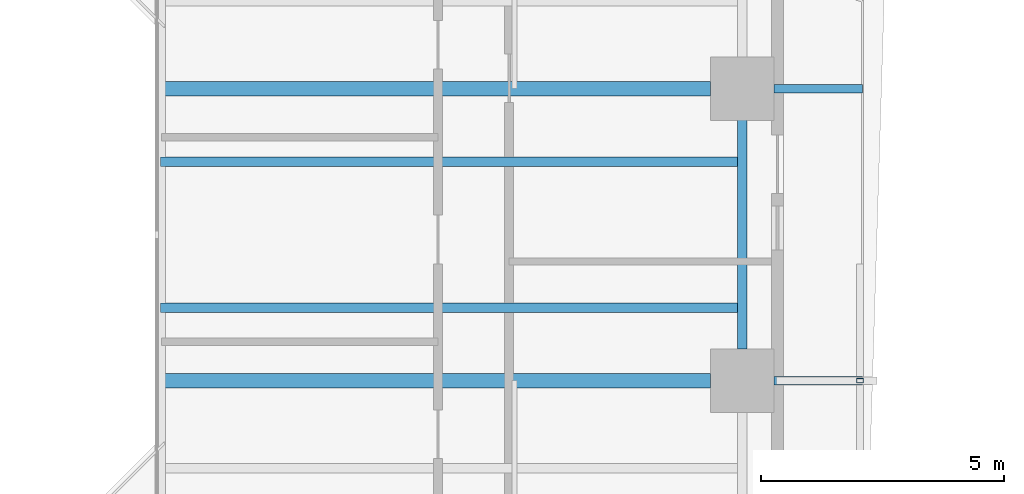
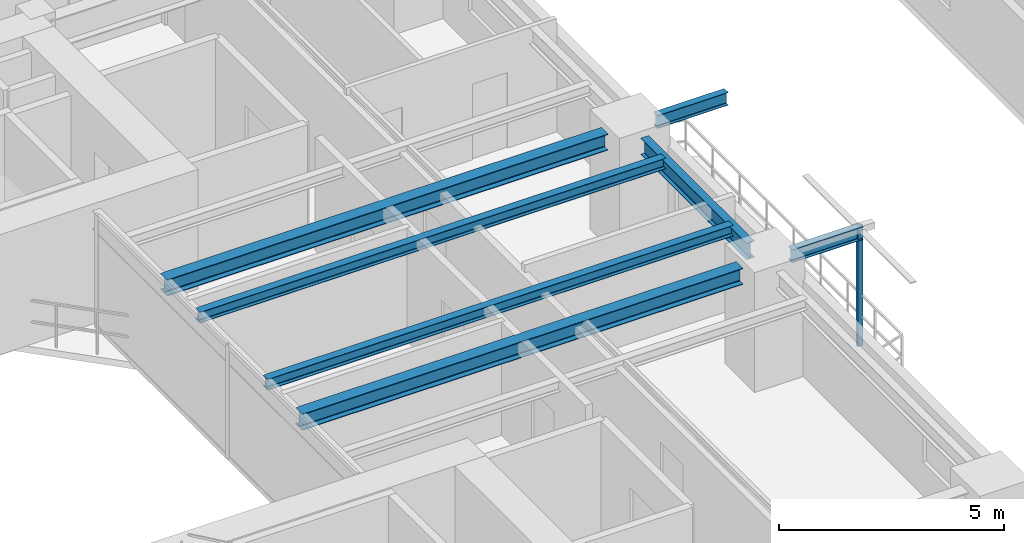
# One storey, part 7 of 24: 7 beams, 1 member.
"""IFC4 building model written with IfcOpenShell, lengths in metres."""

from ifc_helpers import new_model, si_unit, direction, frame, origin, origin_2d, place, context, subcontext, project, spatial, hollow_rectangle, i_section, extrude, source, transform, mapped, material, material_profile, profile_set, type_object, element, save


model = new_model("IFC4")

# Units and contexts
model_context = context("Model", 3, precision=1e-05, world=origin(), true_north=direction((0.0, 1.0)))
body_context = subcontext(model_context, "Body", "Model", "MODEL_VIEW")
ifc_project = project(units=[si_unit("LENGTHUNIT", "METRE"), si_unit("AREAUNIT", "SQUARE_METRE"), si_unit("VOLUMEUNIT", "CUBIC_METRE"), si_unit("PLANEANGLEUNIT", "RADIAN"), si_unit("MASSUNIT", "GRAM", prefix="KILO"), si_unit("THERMODYNAMICTEMPERATUREUNIT", "KELVIN"), si_unit("POWERUNIT", "WATT")], contexts=[model_context])

# Site, building, storey
site_placement = place(None, origin())
site = spatial("IfcSite", under=ifc_project, at=site_placement, CompositionType="ELEMENT")
building_placement = place(site_placement, origin())
building = spatial("IfcBuilding", under=site, at=building_placement, Name="Qiaomeng Ring Towers", CompositionType="ELEMENT")
storey_placement = place(building_placement, frame((0.0, 0.0, 63.25)))
storey = spatial("IfcBuildingStorey", under=building, at=storey_placement, Name="L17", CompositionType="ELEMENT", Elevation=63.25)

# Beams
ifc_material_1 = material(Name="Steel Q355B", Category="steel")
ifc_material_profile_1 = material_profile(ifc_material_1, i_section(OverallWidth=0.199951171875, OverallDepth=0.449951171875, WebThickness=0.009033203125, FlangeThickness=0.013916015625, FilletRadius=0.01806640625, at=origin_2d()), Name="HN 450x200x9x14")
ifc_profile_set_1 = profile_set([ifc_material_profile_1], Name="Steel Q355B")
beam_type_1 = type_object("IfcBeamType", Name="STR-BM-HN450", PredefinedType="SPANDREL", material=ifc_profile_set_1)
shared_shape_1 = source(origin(), body_context, "Body", "SweptSolid", [
    extrude(i_section(OverallWidth=0.199951171875, OverallDepth=0.449951171875, WebThickness=0.009033203125, FlangeThickness=0.013916015625, FilletRadius=0.01806640625, at=origin_2d()), origin(), (0.0, 0.0, 1.0), 4.7021484375),
])
beam_placement = place(storey_placement, frame((37.14990234375, 20.64892578125, 2.844970703125), z_axis=(0.0, 1.0, 0.0), x_axis=(-1.0, 0.0, 0.0)))
element("IfcBeam", 1, at=beam_placement, inside=storey, type_object=beam_type_1, Name="L17 beam STR-SP-L17-T1-E2-E3", PredefinedType="SPANDREL", context=body_context, shape_type="MappedRepresentation", body=[
    mapped(shared_shape_1, transform((0.0, 0.0, 0.0), x_axis=(1.0, 0.0, 0.0), y_axis=(0.0, 1.0, 0.0), z_axis=(0.0, 0.0, 1.0), scale=1.0)),
])
ifc_material_profile_2 = material_profile(ifc_material_1, i_section(OverallWidth=0.300048828125, OverallDepth=0.43994140625, WebThickness=0.010986328125, FlangeThickness=0.01806640625, FilletRadius=0.02392578125, at=origin_2d()), Name="HM 440x300x11x18")
ifc_profile_set_2 = profile_set([ifc_material_profile_2], Name="Steel Q355B")
beam_type_2 = type_object("IfcBeamType", Name="STR-BM-HM440", PredefinedType="BEAM", material=ifc_profile_set_2)
shared_shape_2 = source(origin(), body_context, "Body", "SweptSolid", [
    extrude(i_section(OverallWidth=0.300048828125, OverallDepth=0.43994140625, WebThickness=0.010986328125, FlangeThickness=0.01806640625, FilletRadius=0.02392578125, at=origin_2d()), origin(), (0.0, 0.0, 1.0), 11.301025390625),
])
for number, where, z_axis, x_axis, name in (
    (2, (25.199951171875, 20.0, 2.85009765625), (1.0, 0.0, 0.0), (0.0, 1.0, 0.0), "L17 beam STR-BM-L17-T1-RAD-E2"),
    (3, (25.199951171875, 26.0, 2.85009765625), (1.0, 0.0, 0.0), (0.0, 1.0, 0.0), "L17 beam STR-BM-L17-T1-RAD-E3"),
):
    element("IfcBeam", number, at=place(storey_placement, frame(where, z_axis=z_axis, x_axis=x_axis)), inside=storey, type_object=beam_type_2, Name=name, PredefinedType="BEAM", context=body_context, shape_type="MappedRepresentation", body=[
        mapped(shared_shape_2, transform((0.0, 0.0, 0.0), x_axis=(1.0, 0.0, 0.0), y_axis=(0.0, 1.0, 0.0), z_axis=(0.0, 0.0, 1.0), scale=1.0)),
    ])
ifc_material_profile_3 = material_profile(ifc_material_1, i_section(OverallWidth=0.199951171875, OverallDepth=0.2939453125, WebThickness=0.008056640625, FlangeThickness=0.011962890625, FilletRadius=0.01806640625, at=origin_2d()), Name="HM 294x200x8x12")
ifc_profile_set_3 = profile_set([ifc_material_profile_3], Name="Steel Q355B")
beam_type_3 = type_object("IfcBeamType", Name="STR-BM-HM294", PredefinedType="JOIST", material=ifc_profile_set_3)
shared_shape_3 = source(origin(), body_context, "Body", "SweptSolid", [
    extrude(i_section(OverallWidth=0.199951171875, OverallDepth=0.2939453125, WebThickness=0.008056640625, FlangeThickness=0.011962890625, FilletRadius=0.01806640625, at=origin_2d()), origin(), (0.0, 0.0, 1.0), 11.949951171875),
])
for number, where, z_axis, x_axis, name in (
    (4, (25.199951171875, 21.5, 2.923095703125), (1.0, 0.0, 0.0), (0.0, 1.0, 0.0), "L17 beam STR-JST-L17-T1E-2"),
    (5, (25.199951171875, 24.5, 2.923095703125), (1.0, 0.0, 0.0), (0.0, 1.0, 0.0), "L17 beam STR-JST-L17-T1E-3"),
):
    element("IfcBeam", number, at=place(storey_placement, frame(where, z_axis=z_axis, x_axis=x_axis)), inside=storey, type_object=beam_type_3, Name=name, PredefinedType="JOIST", context=body_context, shape_type="MappedRepresentation", body=[
        mapped(shared_shape_3, transform((0.0, 0.0, 0.0), x_axis=(1.0, 0.0, 0.0), y_axis=(0.0, 1.0, 0.0), z_axis=(0.0, 0.0, 1.0), scale=1.0)),
    ])
ifc_material_profile_4 = material_profile(ifc_material_1, i_section(OverallWidth=0.175048828125, OverallDepth=0.35009765625, WebThickness=0.007080078125, FlangeThickness=0.010986328125, FilletRadius=0.013916015625, at=origin_2d()), Name="HN 350x175x7x11")
ifc_profile_set_4 = profile_set([ifc_material_profile_4], Name="Steel Q355B")
beam_type_4 = type_object("IfcBeamType", Name="STR-BM-HN350", PredefinedType="JOIST", material=ifc_profile_set_4)
shared_shape_4 = source(origin(), body_context, "Body", "SweptSolid", [
    extrude(i_section(OverallWidth=0.175048828125, OverallDepth=0.35009765625, WebThickness=0.007080078125, FlangeThickness=0.010986328125, FilletRadius=0.013916015625, at=origin_2d()), origin(), (0.0, 0.0, 1.0), 1.821044921875),
])
for number, where, z_axis, x_axis, name in (
    (6, (37.799072265625, 20.0, 2.89501953125), (1.0, 0.0, 0.0), (0.0, 1.0, 0.0), "L17 beam STR-BALBM-L17-E2"),
    (7, (37.799072265625, 26.0, 2.89501953125), (1.0, 0.0, 0.0), (0.0, 1.0, 0.0), "L17 beam STR-BALBM-L17-E3"),
):
    element("IfcBeam", number, at=place(storey_placement, frame(where, z_axis=z_axis, x_axis=x_axis)), inside=storey, type_object=beam_type_4, Name=name, PredefinedType="JOIST", context=body_context, shape_type="MappedRepresentation", body=[
        mapped(shared_shape_4, transform((0.0, 0.0, 0.0), x_axis=(1.0, 0.0, 0.0), y_axis=(0.0, 1.0, 0.0), z_axis=(0.0, 0.0, 1.0), scale=1.0)),
    ])

# Member
ifc_material_2 = material(Name="Stainless steel 316", Category="steel")
ifc_material_profile_5 = material_profile(ifc_material_2, hollow_rectangle(XDim=0.090087890625, YDim=0.139892578125, WallThickness=0.0048828125, at=origin_2d()), Name="SS TRELLIS 90x140")
ifc_profile_set_5 = profile_set([ifc_material_profile_5], Name="Stainless steel 316")
member_type = type_object("IfcMemberType", Name="ARC-TR-POST1", PredefinedType="STUD", material=ifc_profile_set_5)
shared_shape_5 = source(origin(), body_context, "Body", "SweptSolid", [
    extrude(hollow_rectangle(XDim=0.090087890625, YDim=0.139892578125, WallThickness=0.0048828125, at=origin_2d()), origin(), (0.0, 0.0, 1.0), 3.25),
])
member_placement = place(storey_placement, frame((39.570068359375, 20.0, -0.179931640625), z_axis=(0.0, 0.0, 1.0), x_axis=(0.0, 1.0, 0.0)))
element("IfcMember", 8, at=member_placement, inside=storey, type_object=member_type, Name="L17 Outer Ventilated Trellis Post E", PredefinedType="STUD", context=body_context, shape_type="MappedRepresentation", body=[
    mapped(shared_shape_5, transform((0.0, 0.0, 0.0), x_axis=(1.0, 0.0, 0.0), y_axis=(0.0, 1.0, 0.0), z_axis=(0.0, 0.0, 1.0), scale=1.0)),
])

save(model, "model.ifc")
